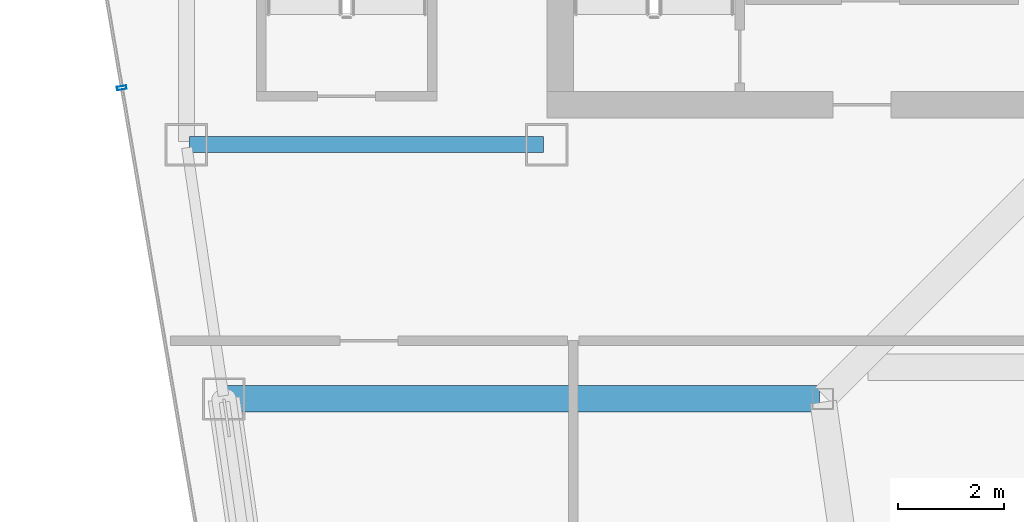
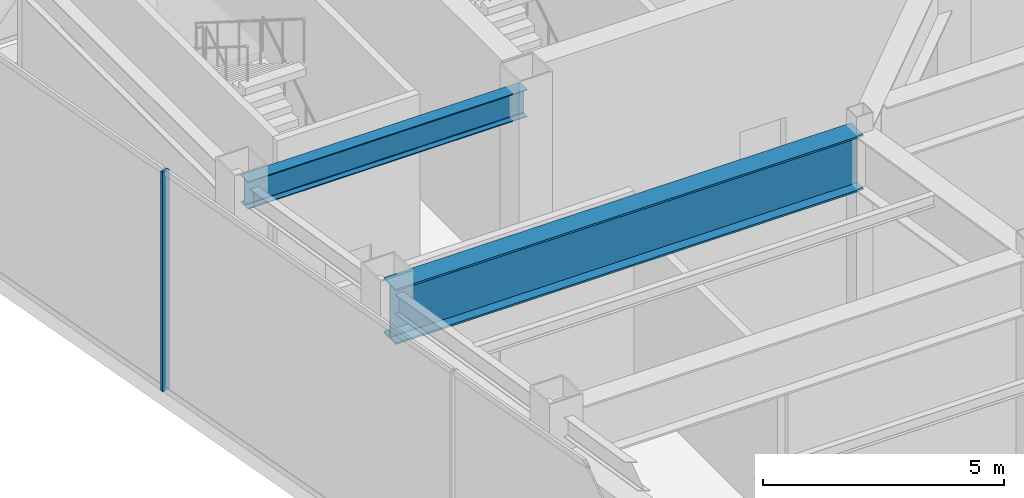
# One storey, part 12 of 34: 2 beams, 1 member, 1 element without a shape of its own.
"""IFC4 building model written with IfcOpenShell, lengths in metres."""

from ifc_helpers import new_model, si_unit, direction, frame, origin, origin_2d, place, context, subcontext, project, spatial, hollow_rectangle, i_section, extrude, material, material_profile, profile_set, type_object, element, aggregate, save


model = new_model("IFC4")

# Units and contexts
model_context = context("Model", 3, precision=1e-05, world=origin(), true_north=direction((0.0, 1.0)))
body_context = subcontext(model_context, "Body", "Model", "MODEL_VIEW")
ifc_project = project(units=[si_unit("LENGTHUNIT", "METRE"), si_unit("AREAUNIT", "SQUARE_METRE"), si_unit("VOLUMEUNIT", "CUBIC_METRE"), si_unit("PLANEANGLEUNIT", "RADIAN"), si_unit("MASSUNIT", "GRAM", prefix="KILO")], contexts=[model_context])

# Site, building, storey
site_placement = place(None, origin())
site = spatial("IfcSite", under=ifc_project, at=site_placement, CompositionType="ELEMENT")
building_placement = place(site_placement, origin())
building = spatial("IfcBuilding", under=site, at=building_placement, Name="Saevonmaru Cultural Tower", CompositionType="ELEMENT")
storey_placement = place(building_placement, frame((0.0, 0.0, 224.60009765625)))
storey = spatial("IfcBuildingStorey", under=building, at=storey_placement, Name="L52", CompositionType="ELEMENT", Elevation=224.60009765625)

# Beams
ifc_material_1 = material(Name="Steel SM355", Category="steel")
ifc_material_profile_1 = material_profile(ifc_material_1, i_section(OverallWidth=0.300048828125, OverallDepth=0.699951171875, WebThickness=0.012939453125, FlangeThickness=0.02392578125, FilletRadius=0.02587890625, at=origin_2d()), Name="H-700x300x13x24")
ifc_profile_set_1 = profile_set([ifc_material_profile_1], Name="Steel SM355")
beam_type_1 = type_object("IfcBeamType", Name="BM-G-H700", PredefinedType="BEAM", material=ifc_profile_set_1)
beam_1_placement = place(storey_placement, frame((6.860107421875, 42.39990234375, 5.199951171875), z_axis=(1.0, 0.0, 0.0), x_axis=(0.0, 1.0, 0.0)))
element("IfcBeam", 1, at=beam_1_placement, inside=storey, type_object=beam_type_1, Name="L52 Core South Girder 1", PredefinedType="BEAM", context=body_context, shape_type="SweptSolid", body=[
    extrude(i_section(OverallWidth=0.300048828125, OverallDepth=0.699951171875, WebThickness=0.012939453125, FlangeThickness=0.02392578125, FilletRadius=0.02587890625, at=origin_2d()), origin(), (0.0, 0.0, 1.0), 6.679931640625),
])
ifc_material_2 = material(Name="Steel HSA600 (600 MPa)", Category="steel")
ifc_material_profile_2 = material_profile(ifc_material_2, i_section(OverallWidth=0.5, OverallDepth=1.39990234375, WebThickness=0.02392578125, FlangeThickness=0.044921875, at=origin_2d()), Name="PG-1400x500x24x45")
ifc_profile_set_2 = profile_set([ifc_material_profile_2], Name="Steel HSA600 (600 MPa)")
beam_type_2 = type_object("IfcBeamType", Name="BM-TG-PG1400", PredefinedType="BEAM", material=ifc_profile_set_2)
beam_2_placement = place(storey_placement, frame((7.568115234375, 37.60009765625, 4.849853515625), z_axis=(1.0, 0.0, 0.0), x_axis=(0.0, 1.0, 0.0)))
element("IfcBeam", 2, at=beam_2_placement, inside=storey, type_object=beam_type_2, Name="L52 West Wing Transverse Girder 4", PredefinedType="BEAM", context=body_context, shape_type="SweptSolid", body=[
    extrude(i_section(OverallWidth=0.5, OverallDepth=1.39990234375, WebThickness=0.02392578125, FlangeThickness=0.044921875, at=origin_2d()), origin(), (0.0, 0.0, 1.0), 11.179931640625),
])

# Curtain wall, member
ifc_material_3 = material(Name="Satin Bronze Anodised Aluminium", Category="aluminium")
curtain_wall_type = type_object("IfcCurtainWallType", Name="CW-TYP-B", PredefinedType="NOTDEFINED", material=ifc_material_3)
curtain_wall_placement = place(storey_placement, origin())
curtain_wall = element("IfcCurtainWall", 3, at=curtain_wall_placement, inside=storey, type_object=curtain_wall_type, Name="L52 Wind-Floor Acoustic Louvre Screen E12", PredefinedType="NOTDEFINED")
ifc_material_profile_3 = material_profile(ifc_material_3, hollow_rectangle(XDim=0.06494140625, YDim=0.179931640625, WallThickness=0.00390625, at=origin_2d()), Name="ALU-MULL-180x65x4")
ifc_profile_set_3 = profile_set([ifc_material_profile_3], Name="Satin Bronze Anodised Aluminium")
member_type = type_object("IfcMemberType", Name="ML-CW-180x65", PredefinedType="MULLION", material=ifc_profile_set_3)
member_placement = place(storey_placement, frame((5.579345703125, 43.470458984375, 0.0), z_axis=(0.0, 0.0, 1.0), x_axis=(0.16692169721, -0.985970155228, 0.0)))
member = element("IfcMember", 4, at=member_placement, type_object=member_type, Name="CW-TW-L52-E12 mullion 2", PredefinedType="MULLION", context=body_context, shape_type="SweptSolid", body=[
    extrude(hollow_rectangle(XDim=0.06494140625, YDim=0.179931640625, WallThickness=0.00390625, at=origin_2d()), origin(), (0.0, 0.0, 1.0), 5.5498046875),
])
aggregate(curtain_wall, [member])

save(model, "model.ifc")
